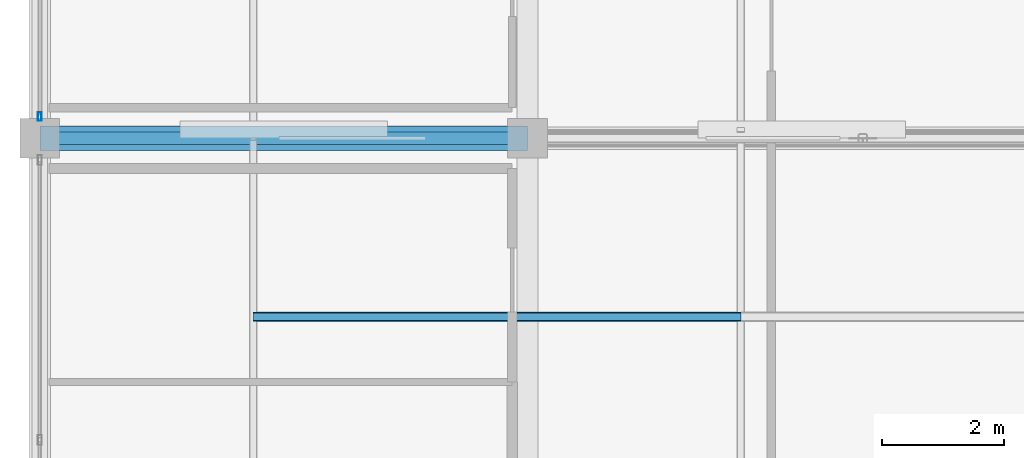
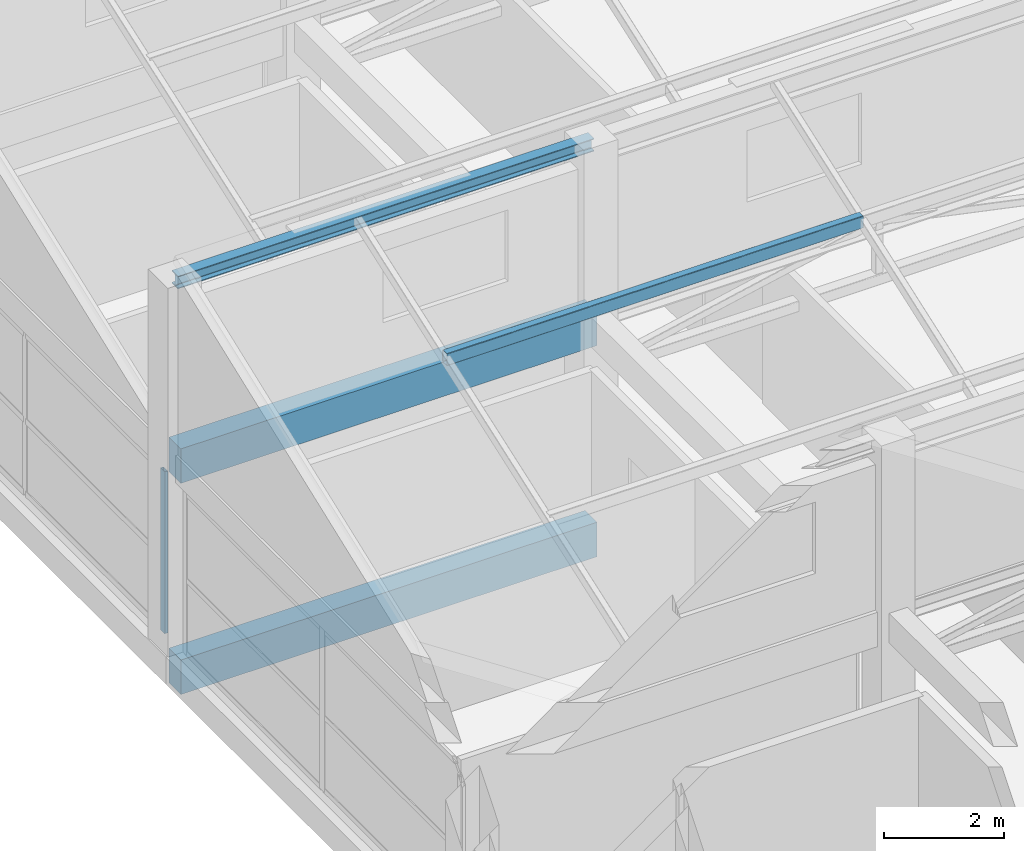
# One storey, part 9 of 35: 3 beams, 2 members, 1 element without a shape of its own.
"""IFC4 building model written with IfcOpenShell, lengths in metres."""

from ifc_helpers import new_model, si_unit, direction, frame, origin, origin_2d, place, context, subcontext, project, spatial, rectangle, hollow_rectangle, i_section, extrude, material, layer, layer_set, material_profile, profile_set, type_object, element, aggregate, save


model = new_model("IFC4")

# Units and contexts
model_context = context("Model", 3, precision=1e-05, world=origin(), true_north=direction((0.0, 1.0)))
body_context = subcontext(model_context, "Body", "Model", "MODEL_VIEW")
ifc_project = project(units=[si_unit("LENGTHUNIT", "METRE"), si_unit("AREAUNIT", "SQUARE_METRE"), si_unit("VOLUMEUNIT", "CUBIC_METRE"), si_unit("PLANEANGLEUNIT", "RADIAN"), si_unit("MASSUNIT", "GRAM", prefix="KILO")], contexts=[model_context])

# Site, building, storey
site_placement = place(None, origin())
site = spatial("IfcSite", under=ifc_project, at=site_placement, CompositionType="ELEMENT")
building_placement = place(site_placement, origin())
building = spatial("IfcBuilding", under=site, at=building_placement, Name="Sillaruma Civic Art Gallery", CompositionType="ELEMENT")
storey_placement = place(building_placement, frame((0.0, 0.0, 74.4599609375)))
storey = spatial("IfcBuildingStorey", under=building, at=storey_placement, Name="L15", CompositionType="ELEMENT", Elevation=74.4599609375)

# Beams
ifc_material_1 = material(Name="Concrete H35 (35 MPa)", Category="concrete")
ifc_material_profile_1 = material_profile(ifc_material_1, rectangle(XDim=0.39990234375, YDim=0.699951171875, at=origin_2d()), Name="RCB400x700")
ifc_profile_set_1 = profile_set([ifc_material_profile_1], Name="Concrete H35 (35 MPa)")
beam_type_1 = type_object("IfcBeamType", Name="BM-BEAM-RCB400x700", PredefinedType="BEAM", material=ifc_profile_set_1)
beam_1_placement = place(storey_placement, frame((62.0, 59.39990234375, -0.599853515625), z_axis=(1.0, 0.0, 0.0), x_axis=(0.0, 1.0, 0.0)))
element("IfcBeam", 1, at=beam_1_placement, inside=storey, type_object=beam_type_1, Name="Beam BM-04 (L14:7:F-G)", PredefinedType="BEAM", context=body_context, shape_type="SweptSolid", body=[
    extrude(rectangle(XDim=0.39990234375, YDim=0.699951171875, at=origin_2d()), origin(), (0.0, 0.0, 1.0), 8.0),
])
ifc_material_profile_2 = material_profile(ifc_material_1, rectangle(XDim=0.39990234375, YDim=0.699951171875, at=origin_2d()), Name="RCB400x700")
ifc_profile_set_2 = profile_set([ifc_material_profile_2], Name="Concrete H35 (35 MPa)")
beam_type_2 = type_object("IfcBeamType", Name="BM-ROF-RCB400x700", PredefinedType="BEAM", material=ifc_profile_set_2)
beam_2_placement = place(storey_placement, frame((62.0, 59.39990234375, 3.68994140625), z_axis=(1.0, 0.0, 0.0), x_axis=(0.0, 1.0, 0.0)))
element("IfcBeam", 2, at=beam_2_placement, inside=storey, type_object=beam_type_2, Name="Beam BRF-04 (L15:7:F-G)", PredefinedType="BEAM", context=body_context, shape_type="SweptSolid", body=[
    extrude(rectangle(XDim=0.39990234375, YDim=0.699951171875, at=origin_2d()), origin(), (0.0, 0.0, 1.0), 8.0),
])
ifc_material_2 = material(Name="Structural Steel ASTM A992 Gr.50", Category="steel")
ifc_material_profile_3 = material_profile(ifc_material_2, i_section(OverallWidth=0.2041015625, OverallDepth=0.257080078125, WebThickness=0.0087890625, FlangeThickness=0.015625, FilletRadius=0.012939453125, at=origin_2d()), Name="W250x67")
ifc_profile_set_3 = profile_set([ifc_material_profile_3], Name="Structural Steel ASTM A992 Gr.50")
beam_type_3 = type_object("IfcBeamType", Name="BM-SAW-W250x67", PredefinedType="BEAM", material=ifc_profile_set_3)
beam_3_placement = place(storey_placement, frame((62.0, 59.39990234375, 7.360107421875), z_axis=(1.0, 0.0, 0.0), x_axis=(0.0, 1.0, 0.0)))
element("IfcBeam", 3, at=beam_3_placement, inside=storey, type_object=beam_type_3, Name="Sawtooth Ridge Steel Girder (2-FG)", PredefinedType="BEAM", context=body_context, shape_type="SweptSolid", body=[
    extrude(i_section(OverallWidth=0.2041015625, OverallDepth=0.257080078125, WebThickness=0.0087890625, FlangeThickness=0.015625, FilletRadius=0.012939453125, at=origin_2d()), origin(), (0.0, 0.0, 1.0), 8.0),
])

# Curtain wall, member
ifc_material_3 = material(Name="Thermally Broken Extruded Aluminium 6063-T6", Category="aluminium")
ifc_layer = layer(ifc_material_3, 0.139892578125, Name="Thermally Broken Extruded Aluminium 6063-T6")
ifc_layer_set = layer_set([ifc_layer], Name="Thermally Broken Extruded Aluminium 6063-T6")
curtain_wall_type = type_object("IfcCurtainWallType", Name="CW-UNI-113", PredefinedType="NOTDEFINED", material=ifc_layer_set)
curtain_wall_placement = place(storey_placement, origin())
curtain_wall = element("IfcCurtainWall", 4, at=curtain_wall_placement, inside=storey, type_object=curtain_wall_type, Name="Unitised Curtain Wall CW-113 (CW-L15-WBW-5)", PredefinedType="NOTDEFINED")
ifc_material_profile_4 = material_profile(ifc_material_3, hollow_rectangle(XDim=0.06005859375, YDim=0.139892578125, WallThickness=0.00341796875, at=origin_2d()), Name="CWM60x140")
ifc_profile_set_4 = profile_set([ifc_material_profile_4], Name="Thermally Broken Extruded Aluminium 6063-T6")
member_type_1 = type_object("IfcMemberType", Name="MEM-MUL-CWM60x140", PredefinedType="MULLION", material=ifc_profile_set_4)
member_1_placement = place(storey_placement, frame((62.0, 59.7548828125, 0.0), z_axis=(0.0, 0.0, 1.0), x_axis=(-1.0, 0.0, 0.0)))
member_1 = element("IfcMember", 5, at=member_1_placement, type_object=member_type_1, Name="CW-113 mullion 1", PredefinedType="MULLION", context=body_context, shape_type="SweptSolid", body=[
    extrude(hollow_rectangle(XDim=0.06005859375, YDim=0.139892578125, WallThickness=0.00341796875, at=origin_2d()), origin(), (0.0, 0.0, 1.0), 3.2900390625),
])
aggregate(curtain_wall, [member_1])

# Member
ifc_material_4 = material(Name="Structural Steel ASTM A500 Gr.C", Category="steel")
ifc_material_profile_5 = material_profile(ifc_material_4, hollow_rectangle(XDim=0.14990234375, YDim=0.25, WallThickness=0.010009765625, InnerFilletRadius=0.010009765625, OuterFilletRadius=0.02001953125, at=origin_2d()), Name="HSS250x150x10")
ifc_profile_set_5 = profile_set([ifc_material_profile_5], Name="Structural Steel ASTM A500 Gr.C")
member_type_2 = type_object("IfcMemberType", Name="MEM-PUR-HSS250", PredefinedType="PURLIN", material=ifc_profile_set_5)
member_2_placement = place(storey_placement, frame((65.5, 56.471923828125, 6.322021484375), z_axis=(1.0, 0.0, 0.0), x_axis=(0.0, 1.0, 0.0)))
element("IfcMember", 6, at=member_2_placement, inside=storey, type_object=member_type_2, Name="Sawtooth Roof Steel Purlin (2.2.1)", PredefinedType="PURLIN", context=body_context, shape_type="SweptSolid", body=[
    extrude(hollow_rectangle(XDim=0.14990234375, YDim=0.25, WallThickness=0.010009765625, InnerFilletRadius=0.010009765625, OuterFilletRadius=0.02001953125, at=origin_2d()), origin(), (0.0, 0.0, 1.0), 8.0),
])

save(model, "model.ifc")
